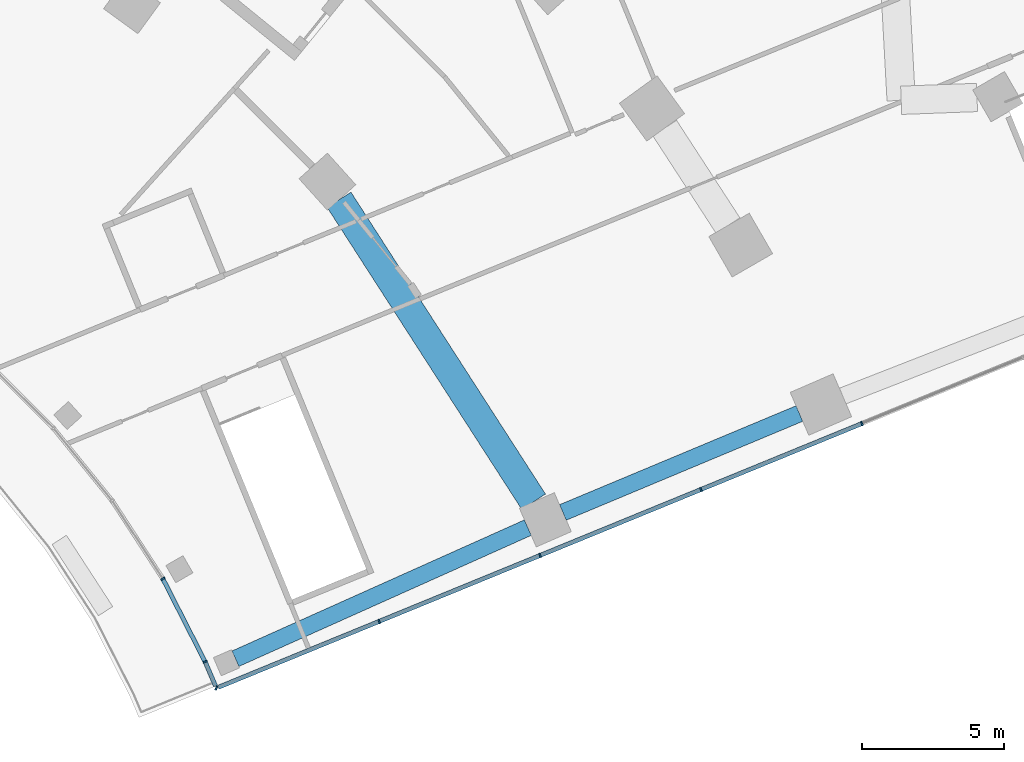
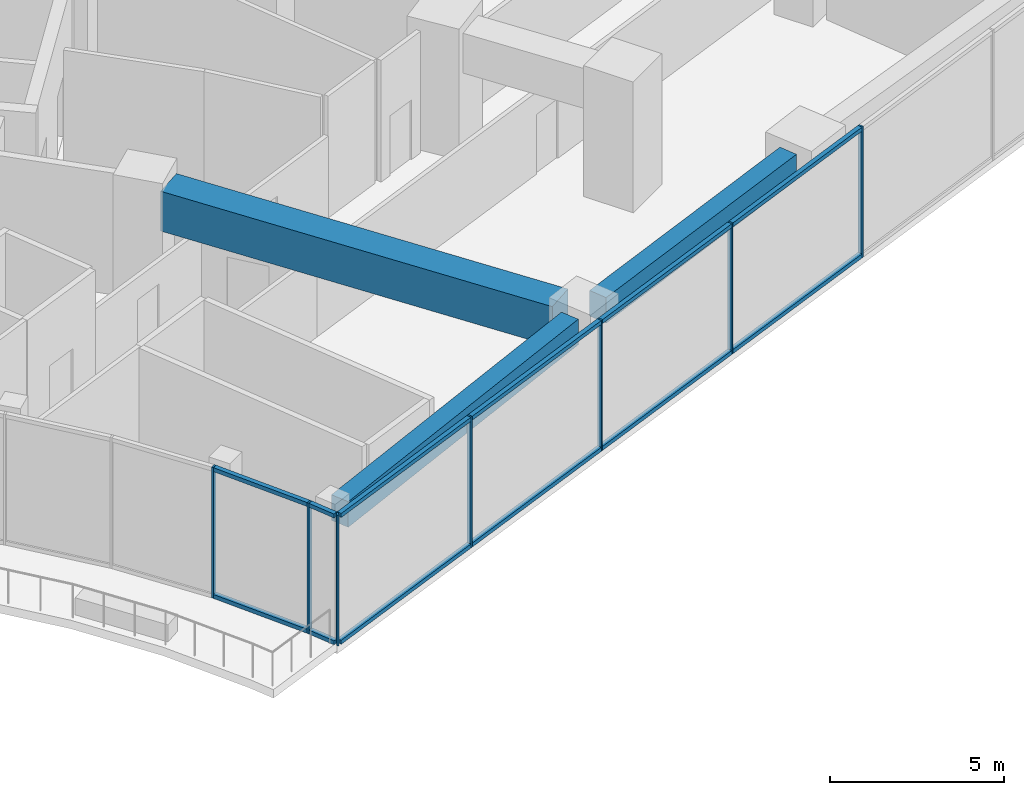
# One storey, part 11 of 33: 19 members, 3 beams, 2 elements without a shape of their own.
"""IFC4 building model written with IfcOpenShell, lengths in metres."""

from ifc_helpers import new_model, si_unit, direction, frame, origin, origin_2d, place, context, subcontext, project, spatial, rectangle, extrude, material, layer, layer_set, material_profile, profile_set, type_object, element, aggregate, save


model = new_model("IFC4")

# Units and contexts
model_context = context("Model", 3, precision=1e-05, world=origin(), true_north=direction((0.0, 1.0)))
body_context = subcontext(model_context, "Body", "Model", "MODEL_VIEW")
ifc_project = project(units=[si_unit("LENGTHUNIT", "METRE"), si_unit("AREAUNIT", "SQUARE_METRE"), si_unit("VOLUMEUNIT", "CUBIC_METRE"), si_unit("PLANEANGLEUNIT", "RADIAN"), si_unit("MASSUNIT", "GRAM", prefix="KILO")], contexts=[model_context])

# Site, building, storey
site_placement = place(None, origin())
site = spatial("IfcSite", under=ifc_project, at=site_placement, CompositionType="ELEMENT")
building_placement = place(site_placement, origin())
building = spatial("IfcBuilding", under=site, at=building_placement, Name="Stone Belt Terrace Tower", CompositionType="ELEMENT")
storey_placement = place(building_placement, frame((0.0, 0.0, 25.39990234375)))
storey = spatial("IfcBuildingStorey", under=building, at=storey_placement, Name="L05", CompositionType="ELEMENT", Elevation=25.39990234375)

# Curtain wall, members
ifc_material_1 = material(Name="Aluminium 6063-T6 anodised frame", Category="aluminium")
ifc_layer = layer(ifc_material_1, 0.14990234375)
ifc_layer_set = layer_set([ifc_layer], Name="CW-D podium shopfront")
curtain_wall_type = type_object("IfcCurtainWallType", Name="CW-D podium shopfront", PredefinedType="NOTDEFINED", material=ifc_layer_set)
curtain_wall_1_placement = place(storey_placement, origin())
curtain_wall_1 = element("IfcCurtainWall", 1, at=curtain_wall_1_placement, inside=storey, type_object=curtain_wall_type, Name="CW-D concave face L05", PredefinedType="NOTDEFINED")
ifc_material_profile_1 = material_profile(ifc_material_1, rectangle(XDim=0.14990234375, YDim=0.06005859375, at=origin_2d()), Name="Aluminium 6063-T6 60x150")
ifc_profile_set_1 = profile_set([ifc_material_profile_1], Name="Aluminium 6063-T6 anodised frame")
member_type_1 = type_object("IfcMemberType", Name="CW-D mullion 60 x 150", PredefinedType="MULLION", material=ifc_profile_set_1)
member_1_placement = place(storey_placement, frame((27.21484375, 15.71240234375, 0.0), z_axis=(0.0, 0.0, 1.0), x_axis=(0.866025403784, 0.5, 0.0)))
member_1 = element("IfcMember", 2, at=member_1_placement, type_object=member_type_1, Name="CW-D mullion 20", PredefinedType="MULLION", context=body_context, shape_type="SweptSolid", body=[
    extrude(rectangle(XDim=0.14990234375, YDim=0.06005859375, at=origin_2d()), origin(), (0.0, 0.0, 1.0), 4.60009765625),
])
member_2_placement = place(storey_placement, frame((28.708740234375, 12.780517578125, 0.0), z_axis=(0.0, 0.0, 1.0), x_axis=(0.905778201442, 0.423752108895, 0.0)))
member_2 = element("IfcMember", 3, at=member_2_placement, type_object=member_type_1, Name="CW-D mullion 21", PredefinedType="MULLION", context=body_context, shape_type="SweptSolid", body=[
    extrude(rectangle(XDim=0.14990234375, YDim=0.06005859375, at=origin_2d()), origin(), (0.0, 0.0, 1.0), 4.60009765625),
])

curtain_wall_2_placement = place(storey_placement, origin())
curtain_wall_2 = element("IfcCurtainWall", 4, at=curtain_wall_2_placement, inside=storey, type_object=curtain_wall_type, Name="CW-D end face L05", PredefinedType="NOTDEFINED")
member_3_placement = place(storey_placement, frame((29.10693359375, 11.8486328125, 0.0), z_axis=(0.0, 0.0, 1.0), x_axis=(0.379212239192, 0.925309719849, 0.0)))
member_3 = element("IfcMember", 5, at=member_3_placement, type_object=member_type_1, Name="CW-D mullion 1", PredefinedType="MULLION", context=body_context, shape_type="SweptSolid", body=[
    extrude(rectangle(XDim=0.14990234375, YDim=0.06005859375, at=origin_2d()), origin(), (0.0, 0.0, 1.0), 4.60009765625),
])
member_4_placement = place(storey_placement, frame((34.859375, 14.206298828125, 0.0), z_axis=(0.0, 0.0, 1.0), x_axis=(-0.379243093825, 0.925297074342, 0.0)))
member_4 = element("IfcMember", 6, at=member_4_placement, type_object=member_type_1, Name="CW-D mullion 2", PredefinedType="MULLION", context=body_context, shape_type="SweptSolid", body=[
    extrude(rectangle(XDim=0.14990234375, YDim=0.06005859375, at=origin_2d()), origin(), (0.0, 0.0, 1.0), 4.60009765625),
])
member_5_placement = place(storey_placement, frame((40.543212890625, 16.5361328125, 0.0), z_axis=(0.0, 0.0, 1.0), x_axis=(-0.379243093825, 0.925297074342, 0.0)))
member_5 = element("IfcMember", 7, at=member_5_placement, type_object=member_type_1, Name="CW-D mullion 3", PredefinedType="MULLION", context=body_context, shape_type="SweptSolid", body=[
    extrude(rectangle(XDim=0.14990234375, YDim=0.06005859375, at=origin_2d()), origin(), (0.0, 0.0, 1.0), 4.60009765625),
])
member_6_placement = place(storey_placement, frame((46.227294921875, 18.86572265625, 0.0), z_axis=(0.0, 0.0, 1.0), x_axis=(-0.379243093825, 0.925297074342, 0.0)))
member_6 = element("IfcMember", 8, at=member_6_placement, type_object=member_type_1, Name="CW-D mullion 4", PredefinedType="MULLION", context=body_context, shape_type="SweptSolid", body=[
    extrude(rectangle(XDim=0.14990234375, YDim=0.06005859375, at=origin_2d()), origin(), (0.0, 0.0, 1.0), 4.60009765625),
])
member_7_placement = place(storey_placement, frame((51.9111328125, 21.1953125, 0.0), z_axis=(0.0, 0.0, 1.0), x_axis=(-0.379243093825, 0.925297074342, 0.0)))
member_7 = element("IfcMember", 9, at=member_7_placement, type_object=member_type_1, Name="CW-D mullion 5", PredefinedType="MULLION", context=body_context, shape_type="SweptSolid", body=[
    extrude(rectangle(XDim=0.14990234375, YDim=0.06005859375, at=origin_2d()), origin(), (0.0, 0.0, 1.0), 4.60009765625),
])

# Member
ifc_material_profile_2 = material_profile(ifc_material_1, rectangle(XDim=0.14990234375, YDim=0.139892578125, at=origin_2d()), Name="Aluminium 6063-T6 150x140")
ifc_profile_set_2 = profile_set([ifc_material_profile_2], Name="Aluminium 6063-T6 anodised frame")
member_type_2 = type_object("IfcMemberType", Name="CW-D transom 140 x 150", PredefinedType="USERDEFINED", material=ifc_profile_set_2)
member_8_placement = place(storey_placement, frame((27.230224609375, 15.682373046875, 0.070068359375), z_axis=(0.453924647159, -0.891040074689, 0.0), x_axis=(0.891040074689, 0.453924647159, 0.0)))
member_8 = element("IfcMember", 10, at=member_8_placement, type_object=member_type_2, Name="CW-D transom 20.1", ObjectType="TRANSOM", PredefinedType="USERDEFINED", context=body_context, shape_type="SweptSolid", body=[
    extrude(rectangle(XDim=0.14990234375, YDim=0.139892578125, at=origin_2d()), origin(), (0.0, 0.0, 1.0), 3.224365234375),
])

member_9_placement = place(storey_placement, frame((27.230224609375, 15.682373046875, 4.530029296875), z_axis=(0.453924647159, -0.891040074689, 0.0), x_axis=(0.891040074689, 0.453924647159, 0.0)))
member_9 = element("IfcMember", 11, at=member_9_placement, type_object=member_type_2, Name="CW-D transom 20.2", ObjectType="TRANSOM", PredefinedType="USERDEFINED", context=body_context, shape_type="SweptSolid", body=[
    extrude(rectangle(XDim=0.14990234375, YDim=0.139892578125, at=origin_2d()), origin(), (0.0, 0.0, 1.0), 3.224365234375),
])

member_10_placement = place(storey_placement, frame((28.721435546875, 12.75048828125, 0.070068359375), z_axis=(0.393106748857, -0.919492840648, 0.0), x_axis=(0.919492840648, 0.393106748857, 0.0)))
member_10 = element("IfcMember", 12, at=member_10_placement, type_object=member_type_2, Name="CW-D transom 21.1", ObjectType="TRANSOM", PredefinedType="USERDEFINED", context=body_context, shape_type="SweptSolid", body=[
    extrude(rectangle(XDim=0.14990234375, YDim=0.139892578125, at=origin_2d()), origin(), (0.0, 0.0, 1.0), 0.90673828125),
])

member_11_placement = place(storey_placement, frame((28.721435546875, 12.75048828125, 4.530029296875), z_axis=(0.393106748857, -0.919492840648, 0.0), x_axis=(0.919492840648, 0.393106748857, 0.0)))
member_11 = element("IfcMember", 13, at=member_11_placement, type_object=member_type_2, Name="CW-D transom 21.2", ObjectType="TRANSOM", PredefinedType="USERDEFINED", context=body_context, shape_type="SweptSolid", body=[
    extrude(rectangle(XDim=0.14990234375, YDim=0.139892578125, at=origin_2d()), origin(), (0.0, 0.0, 1.0), 0.90673828125),
])

aggregate(curtain_wall_1, [member_1, member_2, member_8, member_9, member_10, member_11])

member_12_placement = place(storey_placement, frame((29.17529296875, 11.876708984375, 0.070068359375), z_axis=(0.925292272568, 0.379254809233, 0.0), x_axis=(-0.379254809233, 0.925292272568, 0.0)))
member_12 = element("IfcMember", 14, at=member_12_placement, type_object=member_type_2, Name="CW-D transom 1.1", ObjectType="TRANSOM", PredefinedType="USERDEFINED", context=body_context, shape_type="SweptSolid", body=[
    extrude(rectangle(XDim=0.14990234375, YDim=0.139892578125, at=origin_2d()), origin(), (0.0, 0.0, 1.0), 6.113037109375),
])

member_13_placement = place(storey_placement, frame((29.17529296875, 11.876708984375, 4.530029296875), z_axis=(0.925292272568, 0.379254809233, 0.0), x_axis=(-0.379254809233, 0.925292272568, 0.0)))
member_13 = element("IfcMember", 15, at=member_13_placement, type_object=member_type_2, Name="CW-D transom 1.2", ObjectType="TRANSOM", PredefinedType="USERDEFINED", context=body_context, shape_type="SweptSolid", body=[
    extrude(rectangle(XDim=0.14990234375, YDim=0.139892578125, at=origin_2d()), origin(), (0.0, 0.0, 1.0), 6.113037109375),
])

member_14_placement = place(storey_placement, frame((34.886962890625, 14.2177734375, 0.070068359375), z_axis=(0.925296134112, 0.379245387838, 0.0), x_axis=(-0.379245387838, 0.925296134112, 0.0)))
member_14 = element("IfcMember", 16, at=member_14_placement, type_object=member_type_2, Name="CW-D transom 2.1", ObjectType="TRANSOM", PredefinedType="USERDEFINED", context=body_context, shape_type="SweptSolid", body=[
    extrude(rectangle(XDim=0.14990234375, YDim=0.139892578125, at=origin_2d()), origin(), (0.0, 0.0, 1.0), 6.082763671875),
])

member_15_placement = place(storey_placement, frame((34.886962890625, 14.2177734375, 4.530029296875), z_axis=(0.925296134112, 0.379245387838, 0.0), x_axis=(-0.379245387838, 0.925296134112, 0.0)))
member_15 = element("IfcMember", 17, at=member_15_placement, type_object=member_type_2, Name="CW-D transom 2.2", ObjectType="TRANSOM", PredefinedType="USERDEFINED", context=body_context, shape_type="SweptSolid", body=[
    extrude(rectangle(XDim=0.14990234375, YDim=0.139892578125, at=origin_2d()), origin(), (0.0, 0.0, 1.0), 6.082763671875),
])

member_16_placement = place(storey_placement, frame((40.571044921875, 16.54736328125, 0.070068359375), z_axis=(0.925296134112, 0.379245387838, 0.0), x_axis=(-0.379245387838, 0.925296134112, 0.0)))
member_16 = element("IfcMember", 18, at=member_16_placement, type_object=member_type_2, Name="CW-D transom 3.1", ObjectType="TRANSOM", PredefinedType="USERDEFINED", context=body_context, shape_type="SweptSolid", body=[
    extrude(rectangle(XDim=0.14990234375, YDim=0.139892578125, at=origin_2d()), origin(), (0.0, 0.0, 1.0), 6.082763671875),
])

member_17_placement = place(storey_placement, frame((40.571044921875, 16.54736328125, 4.530029296875), z_axis=(0.925296134112, 0.379245387838, 0.0), x_axis=(-0.379245387838, 0.925296134112, 0.0)))
member_17 = element("IfcMember", 19, at=member_17_placement, type_object=member_type_2, Name="CW-D transom 3.2", ObjectType="TRANSOM", PredefinedType="USERDEFINED", context=body_context, shape_type="SweptSolid", body=[
    extrude(rectangle(XDim=0.14990234375, YDim=0.139892578125, at=origin_2d()), origin(), (0.0, 0.0, 1.0), 6.082763671875),
])

member_18_placement = place(storey_placement, frame((46.2548828125, 18.876953125, 0.070068359375), z_axis=(0.925296134112, 0.379245387838, 0.0), x_axis=(-0.379245387838, 0.925296134112, 0.0)))
member_18 = element("IfcMember", 20, at=member_18_placement, type_object=member_type_2, Name="CW-D transom 4.1", ObjectType="TRANSOM", PredefinedType="USERDEFINED", context=body_context, shape_type="SweptSolid", body=[
    extrude(rectangle(XDim=0.14990234375, YDim=0.139892578125, at=origin_2d()), origin(), (0.0, 0.0, 1.0), 6.082763671875),
])

member_19_placement = place(storey_placement, frame((46.2548828125, 18.876953125, 4.530029296875), z_axis=(0.925296134112, 0.379245387838, 0.0), x_axis=(-0.379245387838, 0.925296134112, 0.0)))
member_19 = element("IfcMember", 21, at=member_19_placement, type_object=member_type_2, Name="CW-D transom 4.2", ObjectType="TRANSOM", PredefinedType="USERDEFINED", context=body_context, shape_type="SweptSolid", body=[
    extrude(rectangle(XDim=0.14990234375, YDim=0.139892578125, at=origin_2d()), origin(), (0.0, 0.0, 1.0), 6.082763671875),
])

aggregate(curtain_wall_2, [member_3, member_4, member_5, member_6, member_7, member_12, member_13, member_14, member_15, member_16, member_17, member_18, member_19])

# Beams
ifc_material_2 = material(Name="Concrete B60", Category="concrete")
ifc_material_profile_3 = material_profile(ifc_material_2, rectangle(XDim=0.60009765625, YDim=0.89990234375, at=origin_2d()), Name="RC 600x900")
ifc_profile_set_3 = profile_set([ifc_material_profile_3], Name="Concrete B60")
beam_type_1 = type_object("IfcBeamType", Name="Edge beam RC 600x900 B60", PredefinedType="SPANDREL", material=ifc_profile_set_3)
beam_1_placement = place(storey_placement, frame((29.78076171875, 12.88818359375, 3.830078125), z_axis=(0.91252459094, 0.409021846519, 0.0), x_axis=(-0.409021846519, 0.91252459094, 0.0)))
element("IfcBeam", 22, at=beam_1_placement, inside=storey, type_object=beam_type_1, Name="Edge beam L05 B O to P", PredefinedType="SPANDREL", context=body_context, shape_type="SweptSolid", body=[
    extrude(rectangle(XDim=0.60009765625, YDim=0.89990234375, at=origin_2d()), origin(), (0.0, 0.0, 1.0), 11.320556640625),
])
beam_2_placement = place(storey_placement, frame((41.35009765625, 18.05517578125, 3.830078125), z_axis=(0.922576038767, 0.385815309044, 0.0), x_axis=(-0.385815309044, 0.922576038767, 0.0)))
element("IfcBeam", 23, at=beam_2_placement, inside=storey, type_object=beam_type_1, Name="Edge beam L05 B P to Q", PredefinedType="SPANDREL", context=body_context, shape_type="SweptSolid", body=[
    extrude(rectangle(XDim=0.60009765625, YDim=0.89990234375, at=origin_2d()), origin(), (0.0, 0.0, 1.0), 9.055908203125),
])
ifc_material_3 = material(Name="Concrete B80", Category="concrete")
ifc_material_profile_4 = material_profile(ifc_material_3, rectangle(XDim=1.0, YDim=1.39990234375, at=origin_2d()), Name="RC 1000x1400")
ifc_profile_set_4 = profile_set([ifc_material_profile_4], Name="Concrete B80")
beam_type_2 = type_object("IfcBeamType", Name="Transfer beam RC 1000x1400 B80", PredefinedType="BEAM", material=ifc_profile_set_4)
beam_3_placement = place(storey_placement, frame((33.440673828125, 29.100830078125, 3.580078125), z_axis=(0.541723685372, -0.840556630279, 0.0), x_axis=(0.840556630279, 0.541723685372, 0.0)))
element("IfcBeam", 24, at=beam_3_placement, inside=storey, type_object=beam_type_2, Name="Transfer beam L05 PP30-PB", PredefinedType="BEAM", context=body_context, shape_type="SweptSolid", body=[
    extrude(rectangle(XDim=1.0, YDim=1.39990234375, at=origin_2d()), origin(), (0.0, 0.0, 1.0), 12.69091796875),
])

save(model, "model.ifc")
